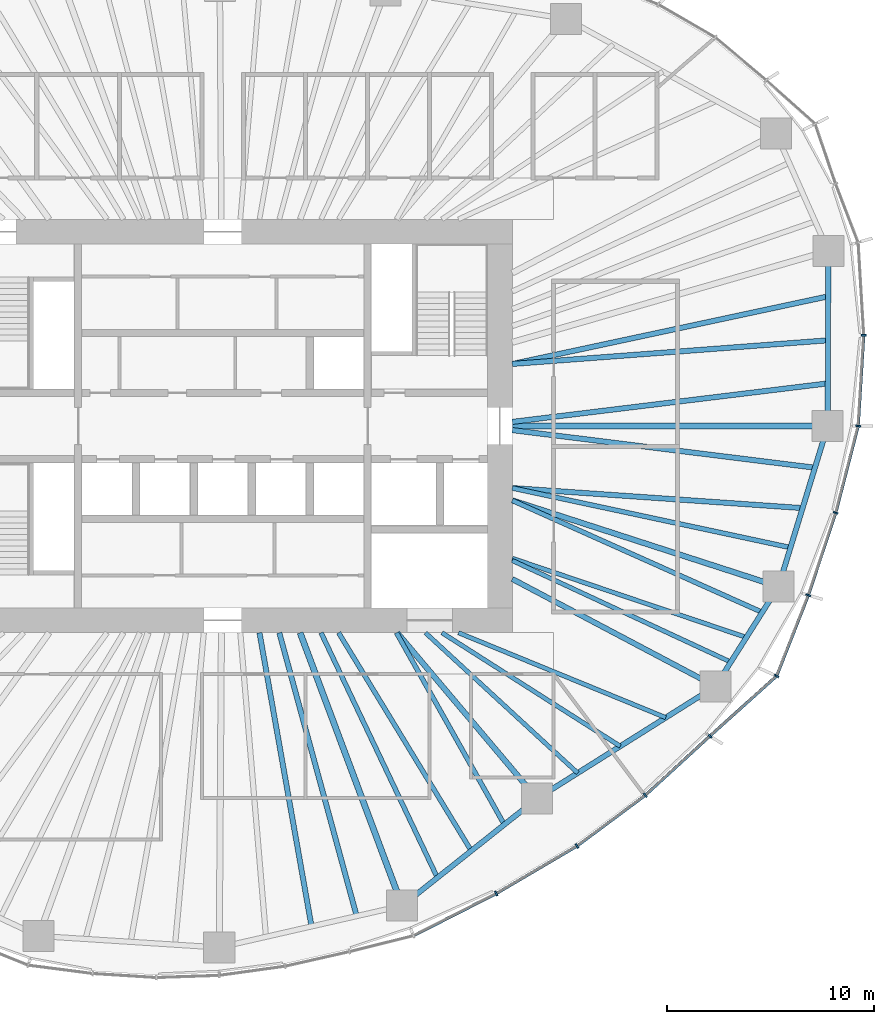
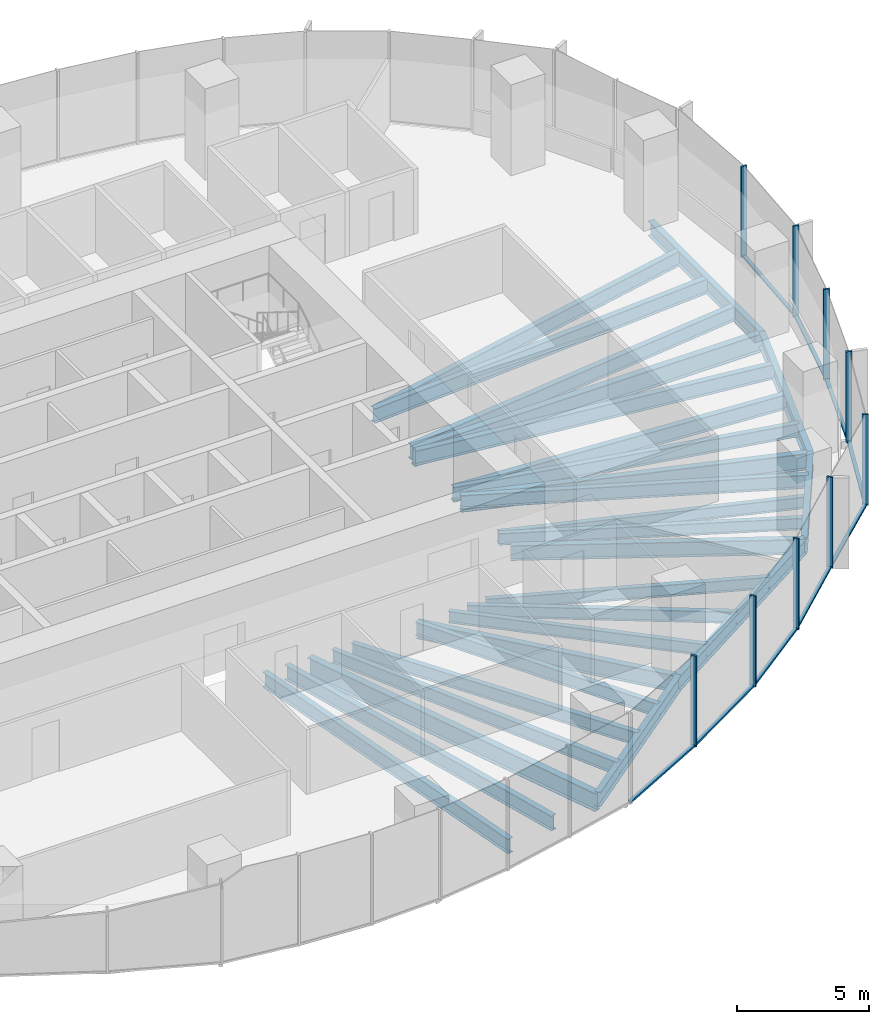
# One storey, part 4 of 18: 27 beams, 18 members, 5 elements without a shape of their own.
"""IFC4 building model written with IfcOpenShell, lengths in metres."""

from ifc_helpers import new_model, si_unit, direction, frame, origin, origin_2d, place, context, subcontext, project, spatial, rectangle, i_section, extrude, material, material_profile, profile_set, type_object, element, aggregate, save


model = new_model("IFC4")

# Units and contexts
model_context = context("Model", 3, precision=1e-05, world=origin(), true_north=direction((0.0, 1.0)))
body_context = subcontext(model_context, "Body", "Model", "MODEL_VIEW")
ifc_project = project(units=[si_unit("LENGTHUNIT", "METRE"), si_unit("AREAUNIT", "SQUARE_METRE"), si_unit("VOLUMEUNIT", "CUBIC_METRE"), si_unit("PLANEANGLEUNIT", "RADIAN"), si_unit("MASSUNIT", "GRAM", prefix="KILO")], contexts=[model_context])

# Site, building, storey
site_placement = place(None, origin())
site = spatial("IfcSite", under=ifc_project, at=site_placement, CompositionType="ELEMENT")
building_placement = place(site_placement, origin())
building = spatial("IfcBuilding", under=site, at=building_placement, Name="Ghaith Harvest Tower", CompositionType="ELEMENT")
storey_placement = place(building_placement, frame((0.0, 0.0, 134.39990234375)))
storey = spatial("IfcBuildingStorey", under=building, at=storey_placement, Name="L28", CompositionType="ELEMENT", Elevation=134.39990234375)

# Curtain wall, members
ifc_material_1 = material(Name="Black anodised aluminium and fritted glass", Category="aluminium")
curtain_wall_type = type_object("IfcCurtainWallType", Name="CW-L CURTAIN WALL", PredefinedType="NOTDEFINED", material=ifc_material_1)
curtain_wall_1_placement = place(storey_placement, origin())
curtain_wall_1 = element("IfcCurtainWall", 1, at=curtain_wall_1_placement, inside=storey, type_object=curtain_wall_type, Name="Curtain wall CW-L bay 01 L28", PredefinedType="NOTDEFINED")
ifc_material_2 = material(Name="Aluminium, black anodised", Category="aluminium")
ifc_material_profile_1 = material_profile(ifc_material_2, rectangle(XDim=0.080078125, YDim=0.239990234375, at=origin_2d()), Name="CW-L MULLION 80x240")
ifc_profile_set_1 = profile_set([ifc_material_profile_1], Name="Aluminium, black anodised")
member_type_1 = type_object("IfcMemberType", Name="CW-L MULLION 80x240", PredefinedType="MULLION", material=ifc_profile_set_1)
member_1_placement = place(storey_placement, frame((30.728759765625, 0.0, 0.0), z_axis=(0.0, 0.0, 1.0), x_axis=(0.155597142981, 0.987820595602, 0.0)))
member_1 = element("IfcMember", 2, at=member_1_placement, type_object=member_type_1, Name="CW-L mullion 1 bay 01 L28", PredefinedType="MULLION", context=body_context, shape_type="SweptSolid", body=[
    extrude(rectangle(XDim=0.080078125, YDim=0.239990234375, at=origin_2d()), origin(), (0.0, 0.0, 1.0), 4.2001953125),
])
member_2_placement = place(storey_placement, frame((30.998779296875, 4.389892578125, 0.0), z_axis=(0.0, 0.0, 1.0), x_axis=(-0.000162467394, 0.999999986802, 0.0)))
member_2 = element("IfcMember", 3, at=member_2_placement, type_object=member_type_1, Name="CW-L mullion 2 bay 01 L28", PredefinedType="MULLION", context=body_context, shape_type="SweptSolid", body=[
    extrude(rectangle(XDim=0.080078125, YDim=0.239990234375, at=origin_2d()), origin(), (0.0, 0.0, 1.0), 4.2001953125),
])

# Curtain wall, member
curtain_wall_2_placement = place(storey_placement, origin())
curtain_wall_2 = element("IfcCurtainWall", 4, at=curtain_wall_2_placement, inside=storey, type_object=curtain_wall_type, Name="Curtain wall CW-L bay 17 L28", PredefinedType="NOTDEFINED")
member_3_placement = place(storey_placement, frame((13.224365234375, -22.614013671875, 0.0), z_axis=(0.0, 0.0, 1.0), x_axis=(0.876898762173, 0.480675109507, 0.0)))
member_3 = element("IfcMember", 5, at=member_3_placement, type_object=member_type_1, Name="CW-L mullion 2 bay 17 L28", PredefinedType="MULLION", context=body_context, shape_type="SweptSolid", body=[
    extrude(rectangle(XDim=0.080078125, YDim=0.239990234375, at=origin_2d()), origin(), (0.0, 0.0, 1.0), 4.2001953125),
])

# Curtain wall, members
curtain_wall_3_placement = place(storey_placement, origin())
curtain_wall_3 = element("IfcCurtainWall", 6, at=curtain_wall_3_placement, inside=storey, type_object=curtain_wall_type, Name="Curtain wall CW-L bay 18 L28", PredefinedType="NOTDEFINED")
member_4_placement = place(storey_placement, frame((17.1318359375, -20.31591796875, 0.0), z_axis=(0.0, 0.0, 1.0), x_axis=(0.834887453241, 0.550420694035, 0.0)))
member_4 = element("IfcMember", 7, at=member_4_placement, type_object=member_type_1, Name="CW-L mullion 1 bay 18 L28", PredefinedType="MULLION", context=body_context, shape_type="SweptSolid", body=[
    extrude(rectangle(XDim=0.080078125, YDim=0.239990234375, at=origin_2d()), origin(), (0.0, 0.0, 1.0), 4.2001953125),
])
member_5_placement = place(storey_placement, frame((20.4296875, -17.86376953125, 0.0), z_axis=(0.0, 0.0, 1.0), x_axis=(0.770306399656, 0.637673937564, 0.0)))
member_5 = element("IfcMember", 8, at=member_5_placement, type_object=member_type_1, Name="CW-L mullion 2 bay 18 L28", PredefinedType="MULLION", context=body_context, shape_type="SweptSolid", body=[
    extrude(rectangle(XDim=0.080078125, YDim=0.239990234375, at=origin_2d()), origin(), (0.0, 0.0, 1.0), 4.2001953125),
])

curtain_wall_4_placement = place(storey_placement, origin())
curtain_wall_4 = element("IfcCurtainWall", 9, at=curtain_wall_4_placement, inside=storey, type_object=curtain_wall_type, Name="Curtain wall CW-L bay 19 L28", PredefinedType="NOTDEFINED")
member_6_placement = place(storey_placement, frame((23.560546875, -14.994140625, 0.0), z_axis=(0.0, 0.0, 1.0), x_axis=(0.740389054945, 0.672178582906, 0.0)))
member_6 = element("IfcMember", 10, at=member_6_placement, type_object=member_type_1, Name="CW-L mullion 1 bay 19 L28", PredefinedType="MULLION", context=body_context, shape_type="SweptSolid", body=[
    extrude(rectangle(XDim=0.080078125, YDim=0.239990234375, at=origin_2d()), origin(), (0.0, 0.0, 1.0), 4.2001953125),
])
member_7_placement = place(storey_placement, frame((26.786376953125, -12.0927734375, 0.0), z_axis=(0.0, 0.0, 1.0), x_axis=(0.572853476908, 0.819657790785, 0.0)))
member_7 = element("IfcMember", 11, at=member_7_placement, type_object=member_type_1, Name="CW-L mullion 2 bay 19 L28", PredefinedType="MULLION", context=body_context, shape_type="SweptSolid", body=[
    extrude(rectangle(XDim=0.080078125, YDim=0.239990234375, at=origin_2d()), origin(), (0.0, 0.0, 1.0), 4.2001953125),
])

curtain_wall_5_placement = place(storey_placement, origin())
curtain_wall_5 = element("IfcCurtainWall", 12, at=curtain_wall_5_placement, inside=storey, type_object=curtain_wall_type, Name="Curtain wall CW-L bay 20 L28", PredefinedType="NOTDEFINED")
member_8_placement = place(storey_placement, frame((28.319580078125, -8.184814453125, 0.0), z_axis=(0.0, 0.0, 1.0), x_axis=(0.34057402484, 0.94021770543, 0.0)))
member_8 = element("IfcMember", 13, at=member_8_placement, type_object=member_type_1, Name="CW-L mullion 1 bay 20 L28", PredefinedType="MULLION", context=body_context, shape_type="SweptSolid", body=[
    extrude(rectangle(XDim=0.080078125, YDim=0.239990234375, at=origin_2d()), origin(), (0.0, 0.0, 1.0), 4.2001953125),
])
member_9_placement = place(storey_placement, frame((29.64599609375, -4.1982421875, 0.0), z_axis=(0.0, 0.0, 1.0), x_axis=(0.282375140161, 0.959304060358, 0.0)))
member_9 = element("IfcMember", 14, at=member_9_placement, type_object=member_type_1, Name="CW-L mullion 2 bay 20 L28", PredefinedType="MULLION", context=body_context, shape_type="SweptSolid", body=[
    extrude(rectangle(XDim=0.080078125, YDim=0.239990234375, at=origin_2d()), origin(), (0.0, 0.0, 1.0), 4.2001953125),
])

# Member
ifc_material_3 = material(Name="Aluminium, black anodised", Category="aluminium")
ifc_material_profile_2 = material_profile(ifc_material_3, rectangle(XDim=0.14990234375, YDim=0.080078125, at=origin_2d()), Name="CW-L TRANSOM 150x80")
ifc_profile_set_2 = profile_set([ifc_material_profile_2], Name="Aluminium, black anodised")
member_type_2 = type_object("IfcMemberType", Name="CW-L TRANSOM 150x80", PredefinedType="USERDEFINED", material=ifc_profile_set_2)
member_10_placement = place(storey_placement, frame((30.731201171875, 0.0400390625, 0.0400390625), z_axis=(0.061403204251, 0.99811304295, 0.0), x_axis=(-0.99811304295, 0.061403204251, 0.0)))
member_10 = element("IfcMember", 15, at=member_10_placement, type_object=member_type_2, Name="CW-L transom 1 bay 01 L28", ObjectType="TRANSOM", PredefinedType="USERDEFINED", context=body_context, shape_type="SweptSolid", body=[
    extrude(rectangle(XDim=0.14990234375, YDim=0.080078125, at=origin_2d()), origin(), (0.0, 0.0, 1.0), 4.31787109375),
])

aggregate(curtain_wall_1, [member_1, member_10, member_2])

member_11_placement = place(storey_placement, frame((9.25244140625, -24.636474609375, 0.0400390625), z_axis=(0.891120044719, 0.453767634258, 0.0), x_axis=(-0.453767634258, 0.891120044719, 0.0)))
member_11 = element("IfcMember", 16, at=member_11_placement, type_object=member_type_2, Name="CW-L transom 1 bay 17 L28", ObjectType="TRANSOM", PredefinedType="USERDEFINED", context=body_context, shape_type="SweptSolid", body=[
    extrude(rectangle(XDim=0.14990234375, YDim=0.080078125, at=origin_2d()), origin(), (0.0, 0.0, 1.0), 4.417236328125),
])

member_12_placement = place(storey_placement, frame((13.259033203125, -22.59375, 0.0400390625), z_axis=(0.86196381091, 0.506969810424, 0.0), x_axis=(-0.506969810424, 0.86196381091, 0.0)))
member_12 = element("IfcMember", 17, at=member_12_placement, type_object=member_type_2, Name="CW-L transom 2 bay 17 L28", ObjectType="TRANSOM", PredefinedType="USERDEFINED", context=body_context, shape_type="SweptSolid", body=[
    extrude(rectangle(XDim=0.14990234375, YDim=0.080078125, at=origin_2d()), origin(), (0.0, 0.0, 1.0), 4.453125),
])

aggregate(curtain_wall_2, [member_11, member_3, member_12])

member_13_placement = place(storey_placement, frame((17.1640625, -20.2919921875, 0.0400390625), z_axis=(0.802465316609, 0.59669876457, 0.0), x_axis=(-0.59669876457, 0.802465316609, 0.0)))
member_13 = element("IfcMember", 18, at=member_13_placement, type_object=member_type_2, Name="CW-L transom 1 bay 18 L28", ObjectType="TRANSOM", PredefinedType="USERDEFINED", context=body_context, shape_type="SweptSolid", body=[
    extrude(rectangle(XDim=0.14990234375, YDim=0.080078125, at=origin_2d()), origin(), (0.0, 0.0, 1.0), 4.029296875),
])

member_14_placement = place(storey_placement, frame((20.459228515625, -17.836669921875, 0.0400390625), z_axis=(0.737197916434, 0.675676869521, 0.0), x_axis=(-0.675676869521, 0.737197916434, 0.0)))
member_14 = element("IfcMember", 19, at=member_14_placement, type_object=member_type_2, Name="CW-L transom 2 bay 18 L28", ObjectType="TRANSOM", PredefinedType="USERDEFINED", context=body_context, shape_type="SweptSolid", body=[
    extrude(rectangle(XDim=0.14990234375, YDim=0.080078125, at=origin_2d()), origin(), (0.0, 0.0, 1.0), 4.166748046875),
])

aggregate(curtain_wall_3, [member_4, member_13, member_5, member_14])

member_15_placement = place(storey_placement, frame((23.59033203125, -14.967529296875, 0.0400390625), z_axis=(0.74346800111, 0.668771509056, 0.0), x_axis=(-0.668771509056, 0.74346800111, 0.0)))
member_15 = element("IfcMember", 20, at=member_15_placement, type_object=member_type_2, Name="CW-L transom 1 bay 19 L28", ObjectType="TRANSOM", PredefinedType="USERDEFINED", context=body_context, shape_type="SweptSolid", body=[
    extrude(rectangle(XDim=0.14990234375, YDim=0.080078125, at=origin_2d()), origin(), (0.0, 0.0, 1.0), 4.2587890625),
])

member_16_placement = place(storey_placement, frame((26.801025390625, -12.055419921875, 0.0400390625), z_axis=(0.365228588652, 0.930917868575, 0.0), x_axis=(-0.930917868575, 0.365228588652, 0.0)))
member_16 = element("IfcMember", 21, at=member_16_placement, type_object=member_type_2, Name="CW-L transom 2 bay 19 L28", ObjectType="TRANSOM", PredefinedType="USERDEFINED", context=body_context, shape_type="SweptSolid", body=[
    extrude(rectangle(XDim=0.14990234375, YDim=0.080078125, at=origin_2d()), origin(), (0.0, 0.0, 1.0), 4.11767578125),
])

aggregate(curtain_wall_4, [member_6, member_15, member_7, member_16])

member_17_placement = place(storey_placement, frame((28.33203125, -8.14697265625, 0.0400390625), z_axis=(0.315712391444, 0.948854934059, 0.0), x_axis=(-0.948854934059, 0.315712391444, 0.0)))
member_17 = element("IfcMember", 22, at=member_17_placement, type_object=member_type_2, Name="CW-L transom 1 bay 20 L28", ObjectType="TRANSOM", PredefinedType="USERDEFINED", context=body_context, shape_type="SweptSolid", body=[
    extrude(rectangle(XDim=0.14990234375, YDim=0.080078125, at=origin_2d()), origin(), (0.0, 0.0, 1.0), 4.12158203125),
])

member_18_placement = place(storey_placement, frame((29.656005859375, -4.159423828125, 0.0400390625), z_axis=(0.249737470584, 0.968313583395, 0.0), x_axis=(-0.968313583395, 0.249737470584, 0.0)))
member_18 = element("IfcMember", 23, at=member_18_placement, type_object=member_type_2, Name="CW-L transom 2 bay 20 L28", ObjectType="TRANSOM", PredefinedType="USERDEFINED", context=body_context, shape_type="SweptSolid", body=[
    extrude(rectangle(XDim=0.14990234375, YDim=0.080078125, at=origin_2d()), origin(), (0.0, 0.0, 1.0), 4.25537109375),
])

aggregate(curtain_wall_5, [member_8, member_17, member_9, member_18])

# Beams
ifc_material_4 = material(Name="Steel ASTM A992 Grade 50", Category="steel")
ifc_material_profile_3 = material_profile(ifc_material_4, i_section(OverallWidth=0.25390625, OverallDepth=0.68408203125, WebThickness=0.012451171875, FlangeThickness=0.018798828125, at=origin_2d()), Name="W690X140")
ifc_profile_set_3 = profile_set([ifc_material_profile_3], Name="Steel ASTM A992 Grade 50")
beam_type_1 = type_object("IfcBeamType", Name="E690-140 W690X140", PredefinedType="SPANDREL", material=ifc_profile_set_3)
beam_1_placement = place(storey_placement, frame((29.259033203125, 0.0, -0.511962890625), z_axis=(0.003172847394, 0.999994966507, 0.0), x_axis=(-0.999994966507, 0.003172847394, 0.0)))
element("IfcBeam", 24, at=beam_1_placement, inside=storey, type_object=beam_type_1, Name="Edge beam E01 L28", PredefinedType="SPANDREL", context=body_context, shape_type="SweptSolid", body=[
    extrude(i_section(OverallWidth=0.25390625, OverallDepth=0.68408203125, WebThickness=0.012451171875, FlangeThickness=0.018798828125, at=origin_2d()), origin(), (0.0, 0.0, 1.0), 8.464111328125),
])
beam_2_placement = place(storey_placement, frame((8.674072265625, -23.202880859375, -0.511962890625), z_axis=(0.783159540917, 0.621820821033, 0.0), x_axis=(-0.621820821033, 0.783159540917, 0.0)))
element("IfcBeam", 25, at=beam_2_placement, inside=storey, type_object=beam_type_1, Name="Edge beam E17 L28", PredefinedType="SPANDREL", context=body_context, shape_type="SweptSolid", body=[
    extrude(i_section(OverallWidth=0.25390625, OverallDepth=0.68408203125, WebThickness=0.012451171875, FlangeThickness=0.018798828125, at=origin_2d()), origin(), (0.0, 0.0, 1.0), 8.330322265625),
])
beam_3_placement = place(storey_placement, frame((15.197998046875, -18.02294921875, -0.511962890625), z_axis=(0.846385185363, 0.532571232793, 0.0), x_axis=(-0.532571232793, 0.846385185363, 0.0)))
element("IfcBeam", 26, at=beam_3_placement, inside=storey, type_object=beam_type_1, Name="Edge beam E18 L28", PredefinedType="SPANDREL", context=body_context, shape_type="SweptSolid", body=[
    extrude(i_section(OverallWidth=0.25390625, OverallDepth=0.68408203125, WebThickness=0.012451171875, FlangeThickness=0.018798828125, at=origin_2d()), origin(), (0.0, 0.0, 1.0), 10.19384765625),
])
beam_4_placement = place(storey_placement, frame((23.825927734375, -12.593994140625, -0.511962890625), z_axis=(0.534499624093, 0.845168712059, 0.0), x_axis=(-0.845168712059, 0.534499624093, 0.0)))
element("IfcBeam", 27, at=beam_4_placement, inside=storey, type_object=beam_type_1, Name="Edge beam E19 L28", PredefinedType="SPANDREL", context=body_context, shape_type="SweptSolid", body=[
    extrude(i_section(OverallWidth=0.25390625, OverallDepth=0.68408203125, WebThickness=0.012451171875, FlangeThickness=0.018798828125, at=origin_2d()), origin(), (0.0, 0.0, 1.0), 5.7099609375),
])
beam_5_placement = place(storey_placement, frame((26.8779296875, -7.76806640625, -0.511962890625), z_axis=(0.293065809375, 0.956092271371, 0.0), x_axis=(-0.956092271371, 0.293065809375, 0.0)))
element("IfcBeam", 28, at=beam_5_placement, inside=storey, type_object=beam_type_1, Name="Edge beam E20 L28", PredefinedType="SPANDREL", context=body_context, shape_type="SweptSolid", body=[
    extrude(i_section(OverallWidth=0.25390625, OverallDepth=0.68408203125, WebThickness=0.012451171875, FlangeThickness=0.018798828125, at=origin_2d()), origin(), (0.0, 0.0, 1.0), 8.124755859375),
])
ifc_material_5 = material(Name="Steel ASTM A992 Grade 50", Category="steel")
ifc_material_profile_4 = material_profile(ifc_material_5, i_section(OverallWidth=0.256103515625, OverallDepth=0.693115234375, WebThickness=0.014404296875, FlangeThickness=0.023681640625, at=origin_2d()), Name="W690X170")
ifc_profile_set_4 = profile_set([ifc_material_profile_4], Name="Steel ASTM A992 Grade 50")
beam_type_2 = type_object("IfcBeamType", Name="G690-170 W690X170", PredefinedType="BEAM", material=ifc_profile_set_4)
beam_6_placement = place(storey_placement, frame((14.0, -7.39990234375, -0.516357421875), z_axis=(0.884080549082, -0.467334551189, 0.0), x_axis=(0.467334551189, 0.884080549082, 0.0)))
element("IfcBeam", 29, at=beam_6_placement, inside=storey, type_object=beam_type_2, Name="Radial girder G19 L28", PredefinedType="BEAM", context=body_context, shape_type="SweptSolid", body=[
    extrude(i_section(OverallWidth=0.256103515625, OverallDepth=0.693115234375, WebThickness=0.014404296875, FlangeThickness=0.023681640625, at=origin_2d()), origin(), (0.0, 0.0, 1.0), 11.1142578125),
])
ifc_material_6 = material(Name="Steel ASTM A992 Grade 50", Category="steel")
ifc_material_profile_5 = material_profile(ifc_material_6, i_section(OverallWidth=0.26806640625, OverallDepth=0.77001953125, WebThickness=0.015625, FlangeThickness=0.025390625, at=origin_2d()), Name="W760X196")
ifc_profile_set_5 = profile_set([ifc_material_profile_5], Name="Steel ASTM A992 Grade 50")
beam_type_3 = type_object("IfcBeamType", Name="G760-196 W760X196", PredefinedType="BEAM", material=ifc_profile_set_5)
beam_7_placement = place(storey_placement, frame((8.4326171875, -10.0, -0.554931640625), z_axis=(0.644649240595, -0.764478486682, 0.0), x_axis=(0.764478486682, 0.644649240595, 0.0)))
element("IfcBeam", 30, at=beam_7_placement, inside=storey, type_object=beam_type_3, Name="Radial girder G18 L28", PredefinedType="BEAM", context=body_context, shape_type="SweptSolid", body=[
    extrude(i_section(OverallWidth=0.26806640625, OverallDepth=0.77001953125, WebThickness=0.015625, FlangeThickness=0.025390625, at=origin_2d()), origin(), (0.0, 0.0, 1.0), 10.49462890625),
])
beam_8_placement = place(storey_placement, frame((14.0, -3.60009765625, -0.554931640625), z_axis=(0.951410331565, -0.307925934262, 0.0), x_axis=(0.307925934262, 0.951410331565, 0.0)))
element("IfcBeam", 31, at=beam_8_placement, inside=storey, type_object=beam_type_3, Name="Radial girder G20 L28", PredefinedType="BEAM", context=body_context, shape_type="SweptSolid", body=[
    extrude(i_section(OverallWidth=0.26806640625, OverallDepth=0.77001953125, WebThickness=0.015625, FlangeThickness=0.025390625, at=origin_2d()), origin(), (0.0, 0.0, 1.0), 13.53564453125),
])
ifc_material_7 = material(Name="Steel ASTM A992 Grade 50", Category="steel")
ifc_material_profile_6 = material_profile(ifc_material_7, i_section(OverallWidth=0.2939453125, OverallDepth=0.85107421875, WebThickness=0.01611328125, FlangeThickness=0.02685546875, at=origin_2d()), Name="W840X226")
ifc_profile_set_6 = profile_set([ifc_material_profile_6], Name="Steel ASTM A992 Grade 50")
beam_type_4 = type_object("IfcBeamType", Name="G840-226 W840X226", PredefinedType="BEAM", material=ifc_profile_set_6)
beam_9_placement = place(storey_placement, frame((14.0, 0.0, -0.595458984375), z_axis=(1.0, 0.0, 0.0), x_axis=(0.0, 1.0, 0.0)))
element("IfcBeam", 32, at=beam_9_placement, inside=storey, type_object=beam_type_4, Name="Radial girder G01 L28", PredefinedType="BEAM", context=body_context, shape_type="SweptSolid", body=[
    extrude(i_section(OverallWidth=0.2939453125, OverallDepth=0.85107421875, WebThickness=0.01611328125, FlangeThickness=0.02685546875, at=origin_2d()), origin(), (0.0, 0.0, 1.0), 15.259033203125),
])
beam_10_placement = place(storey_placement, frame((3.73828125, -10.0, -0.595458984375), z_axis=(0.350172283717, -0.936685310932, 0.0), x_axis=(0.936685310932, 0.350172283717, 0.0)))
element("IfcBeam", 33, at=beam_10_placement, inside=storey, type_object=beam_type_4, Name="Radial girder G17 L28", PredefinedType="BEAM", context=body_context, shape_type="SweptSolid", body=[
    extrude(i_section(OverallWidth=0.2939453125, OverallDepth=0.85107421875, WebThickness=0.01611328125, FlangeThickness=0.02685546875, at=origin_2d()), origin(), (0.0, 0.0, 1.0), 14.09521484375),
])
ifc_material_8 = material(Name="Steel ASTM A992 Grade 50", Category="steel")
ifc_material_profile_7 = material_profile(ifc_material_8, i_section(OverallWidth=0.2109375, OverallDepth=0.5390625, WebThickness=0.01171875, FlangeThickness=0.018798828125, at=origin_2d()), Name="W530X109")
ifc_profile_set_7 = profile_set([ifc_material_profile_7], Name="Steel ASTM A992 Grade 50")
beam_type_5 = type_object("IfcBeamType", Name="J530-109 W530X109", PredefinedType="JOIST", material=ifc_profile_set_7)
beam_11_placement = place(storey_placement, frame((9.800048828125, -10.0, -0.439453125), z_axis=(0.735441512033, -0.677588210035, 0.0), x_axis=(0.677588210035, 0.735441512033, 0.0)))
element("IfcBeam", 34, at=beam_11_placement, inside=storey, type_object=beam_type_5, Name="Joist J18.1 L28", PredefinedType="JOIST", context=body_context, shape_type="SweptSolid", body=[
    extrude(i_section(OverallWidth=0.2109375, OverallDepth=0.5390625, WebThickness=0.01171875, FlangeThickness=0.018798828125, at=origin_2d()), origin(), (0.0, 0.0, 1.0), 10.01416015625),
])
beam_12_placement = place(storey_placement, frame((10.60009765625, -10.0, -0.439453125), z_axis=(0.843584777848, -0.536996017288, 0.0), x_axis=(0.536996017288, 0.843584777848, 0.0)))
element("IfcBeam", 35, at=beam_12_placement, inside=storey, type_object=beam_type_5, Name="Joist J18.2 L28", PredefinedType="JOIST", context=body_context, shape_type="SweptSolid", body=[
    extrude(i_section(OverallWidth=0.2109375, OverallDepth=0.5390625, WebThickness=0.01171875, FlangeThickness=0.018798828125, at=origin_2d()), origin(), (0.0, 0.0, 1.0), 10.22314453125),
])
beam_13_placement = place(storey_placement, frame((11.39990234375, -10.0, -0.439453125), z_axis=(0.925406878607, -0.378975077053, 0.0), x_axis=(0.378975077053, 0.925406878607, 0.0)))
element("IfcBeam", 36, at=beam_13_placement, inside=storey, type_object=beam_type_5, Name="Joist J18.3 L28", PredefinedType="JOIST", context=body_context, shape_type="SweptSolid", body=[
    extrude(i_section(OverallWidth=0.2109375, OverallDepth=0.5390625, WebThickness=0.01171875, FlangeThickness=0.018798828125, at=origin_2d()), origin(), (0.0, 0.0, 1.0), 10.83251953125),
])
beam_14_placement = place(storey_placement, frame((14.0, -6.506103515625, -0.439453125), z_axis=(0.906863188232, -0.421425150922, 0.0), x_axis=(0.421425150922, 0.906863188232, 0.0)))
element("IfcBeam", 37, at=beam_14_placement, inside=storey, type_object=beam_type_5, Name="Joist J19.1 L28", PredefinedType="JOIST", context=body_context, shape_type="SweptSolid", body=[
    extrude(i_section(OverallWidth=0.2109375, OverallDepth=0.5390625, WebThickness=0.01171875, FlangeThickness=0.018798828125, at=origin_2d()), origin(), (0.0, 0.0, 1.0), 11.6552734375),
])
beam_15_placement = place(storey_placement, frame((14.0, -6.39990234375, -0.439453125), z_axis=(0.947372072272, -0.320134591508, 0.0), x_axis=(0.320134591508, 0.947372072272, 0.0)))
element("IfcBeam", 38, at=beam_15_placement, inside=storey, type_object=beam_type_5, Name="Joist J19.2 L28", PredefinedType="JOIST", context=body_context, shape_type="SweptSolid", body=[
    extrude(i_section(OverallWidth=0.2109375, OverallDepth=0.5390625, WebThickness=0.01171875, FlangeThickness=0.018798828125, at=origin_2d()), origin(), (0.0, 0.0, 1.0), 11.95263671875),
])
ifc_material_9 = material(Name="Steel ASTM A992 Grade 50", Category="steel")
ifc_material_profile_8 = material_profile(ifc_material_9, i_section(OverallWidth=0.22900390625, OverallDepth=0.612060546875, WebThickness=0.011962890625, FlangeThickness=0.01953125, at=origin_2d()), Name="W610X125")
ifc_profile_set_8 = profile_set([ifc_material_profile_8], Name="Steel ASTM A992 Grade 50")
beam_type_6 = type_object("IfcBeamType", Name="J610-125 W610X125", PredefinedType="JOIST", material=ifc_profile_set_8)
beam_16_placement = place(storey_placement, frame((4.75, -10.0, -0.475830078125), z_axis=(0.429062888327, -0.903274619294, 0.0), x_axis=(0.903274619294, 0.429062888327, 0.0)))
element("IfcBeam", 39, at=beam_16_placement, inside=storey, type_object=beam_type_6, Name="Joist J17.1 L28", PredefinedType="JOIST", context=body_context, shape_type="SweptSolid", body=[
    extrude(i_section(OverallWidth=0.22900390625, OverallDepth=0.612060546875, WebThickness=0.011962890625, FlangeThickness=0.01953125, at=origin_2d()), origin(), (0.0, 0.0, 1.0), 13.118408203125),
])
beam_17_placement = place(storey_placement, frame((5.60009765625, -10.0, -0.475830078125), z_axis=(0.51969412955, -0.854352393167, 0.0), x_axis=(0.854352393167, 0.51969412955, 0.0)))
element("IfcBeam", 40, at=beam_17_placement, inside=storey, type_object=beam_type_6, Name="Joist J17.2 L28", PredefinedType="JOIST", context=body_context, shape_type="SweptSolid", body=[
    extrude(i_section(OverallWidth=0.22900390625, OverallDepth=0.612060546875, WebThickness=0.011962890625, FlangeThickness=0.01953125, at=origin_2d()), origin(), (0.0, 0.0, 1.0), 12.34716796875),
])
beam_18_placement = place(storey_placement, frame((8.39990234375, -10.0, -0.475830078125), z_axis=(0.489936713337, -0.871758003648, 0.0), x_axis=(0.871758003648, 0.489936713337, 0.0)))
element("IfcBeam", 41, at=beam_18_placement, inside=storey, type_object=beam_type_6, Name="Joist J17.3 L28", PredefinedType="JOIST", context=body_context, shape_type="SweptSolid", body=[
    extrude(i_section(OverallWidth=0.22900390625, OverallDepth=0.612060546875, WebThickness=0.011962890625, FlangeThickness=0.01953125, at=origin_2d()), origin(), (0.0, 0.0, 1.0), 10.64501953125),
])
beam_19_placement = place(storey_placement, frame((14.0, -3.60009765625, -0.475830078125), z_axis=(0.912738327266, -0.408544668231, 0.0), x_axis=(0.408544668231, 0.912738327266, 0.0)))
element("IfcBeam", 42, at=beam_19_placement, inside=storey, type_object=beam_type_6, Name="Joist J19.3 L28", PredefinedType="JOIST", context=body_context, shape_type="SweptSolid", body=[
    extrude(i_section(OverallWidth=0.22900390625, OverallDepth=0.612060546875, WebThickness=0.011962890625, FlangeThickness=0.01953125, at=origin_2d()), origin(), (0.0, 0.0, 1.0), 13.247314453125),
])
beam_20_placement = place(storey_placement, frame((14.0, -3.0, -0.475830078125), z_axis=(0.97783433664, -0.209380061343, 0.0), x_axis=(0.209380061343, 0.97783433664, 0.0)))
element("IfcBeam", 43, at=beam_20_placement, inside=storey, type_object=beam_type_6, Name="Joist J20.1 L28", PredefinedType="JOIST", context=body_context, shape_type="SweptSolid", body=[
    extrude(i_section(OverallWidth=0.22900390625, OverallDepth=0.612060546875, WebThickness=0.011962890625, FlangeThickness=0.01953125, at=origin_2d()), origin(), (0.0, 0.0, 1.0), 13.76123046875),
])
ifc_material_10 = material(Name="Steel ASTM A992 Grade 50", Category="steel")
ifc_material_profile_9 = material_profile(ifc_material_10, i_section(OverallWidth=0.25390625, OverallDepth=0.68408203125, WebThickness=0.012451171875, FlangeThickness=0.018798828125, at=origin_2d()), Name="W690X140")
ifc_profile_set_9 = profile_set([ifc_material_profile_9], Name="Steel ASTM A992 Grade 50")
beam_type_7 = type_object("IfcBeamType", Name="J690-140 W690X140", PredefinedType="JOIST", material=ifc_profile_set_9)
beam_21_placement = place(storey_placement, frame((14.0, 0.199951171875, -0.511962890625), z_axis=(0.992642759881, 0.121079937462, 0.0), x_axis=(-0.121079937462, 0.992642759881, 0.0)))
element("IfcBeam", 44, at=beam_21_placement, inside=storey, type_object=beam_type_7, Name="Joist J01.1 L28", PredefinedType="JOIST", context=body_context, shape_type="SweptSolid", body=[
    extrude(i_section(OverallWidth=0.25390625, OverallDepth=0.68408203125, WebThickness=0.012451171875, FlangeThickness=0.018798828125, at=origin_2d()), origin(), (0.0, 0.0, 1.0), 15.378662109375),
])
beam_22_placement = place(storey_placement, frame((14.0, 3.0, -0.511962890625), z_axis=(0.997200052902, 0.074780040735, 0.0), x_axis=(-0.074780040735, 0.997200052902, 0.0)))
element("IfcBeam", 45, at=beam_22_placement, inside=storey, type_object=beam_type_7, Name="Joist J01.2 L28", PredefinedType="JOIST", context=body_context, shape_type="SweptSolid", body=[
    extrude(i_section(OverallWidth=0.25390625, OverallDepth=0.68408203125, WebThickness=0.012451171875, FlangeThickness=0.018798828125, at=origin_2d()), origin(), (0.0, 0.0, 1.0), 15.315185546875),
])
beam_23_placement = place(storey_placement, frame((14.0, 3.0, -0.511962890625), z_axis=(0.977833271545, 0.209385035425, 0.0), x_axis=(-0.209385035425, 0.977833271545, 0.0)))
element("IfcBeam", 46, at=beam_23_placement, inside=storey, type_object=beam_type_7, Name="Joist J01.3 L28", PredefinedType="JOIST", context=body_context, shape_type="SweptSolid", body=[
    extrude(i_section(OverallWidth=0.25390625, OverallDepth=0.68408203125, WebThickness=0.012451171875, FlangeThickness=0.018798828125, at=origin_2d()), origin(), (0.0, 0.0, 1.0), 15.62548828125),
])
beam_24_placement = place(storey_placement, frame((1.772705078125, -10.0, -0.511962890625), z_axis=(0.174552818486, -0.98464781194, 0.0), x_axis=(0.98464781194, 0.174552818486, 0.0)))
element("IfcBeam", 47, at=beam_24_placement, inside=storey, type_object=beam_type_7, Name="Joist J16.2 L28", PredefinedType="JOIST", context=body_context, shape_type="SweptSolid", body=[
    extrude(i_section(OverallWidth=0.25390625, OverallDepth=0.68408203125, WebThickness=0.012451171875, FlangeThickness=0.018798828125, at=origin_2d()), origin(), (0.0, 0.0, 1.0), 14.42578125),
])
beam_25_placement = place(storey_placement, frame((2.73095703125, -10.0, -0.511962890625), z_axis=(0.263463446032, -0.964669379946, 0.0), x_axis=(0.964669379946, 0.263463446032, 0.0)))
element("IfcBeam", 48, at=beam_25_placement, inside=storey, type_object=beam_type_7, Name="Joist J16.3 L28", PredefinedType="JOIST", context=body_context, shape_type="SweptSolid", body=[
    extrude(i_section(OverallWidth=0.25390625, OverallDepth=0.68408203125, WebThickness=0.012451171875, FlangeThickness=0.018798828125, at=origin_2d()), origin(), (0.0, 0.0, 1.0), 14.20751953125),
])
beam_26_placement = place(storey_placement, frame((14.0, -3.0, -0.511962890625), z_axis=(0.997616678907, -0.068999724397, 0.0), x_axis=(0.068999724397, 0.997616678907, 0.0)))
element("IfcBeam", 49, at=beam_26_placement, inside=storey, type_object=beam_type_7, Name="Joist J20.2 L28", PredefinedType="JOIST", context=body_context, shape_type="SweptSolid", body=[
    extrude(i_section(OverallWidth=0.25390625, OverallDepth=0.68408203125, WebThickness=0.012451171875, FlangeThickness=0.018798828125, at=origin_2d()), origin(), (0.0, 0.0, 1.0), 14.0751953125),
])
beam_27_placement = place(storey_placement, frame((14.0, -0.199951171875, -0.511962890625), z_axis=(0.992379127816, -0.123222021874, 0.0), x_axis=(0.123222021874, 0.992379127816, 0.0)))
element("IfcBeam", 50, at=beam_27_placement, inside=storey, type_object=beam_type_7, Name="Joist J20.3 L28", PredefinedType="JOIST", context=body_context, shape_type="SweptSolid", body=[
    extrude(i_section(OverallWidth=0.25390625, OverallDepth=0.68408203125, WebThickness=0.012451171875, FlangeThickness=0.018798828125, at=origin_2d()), origin(), (0.0, 0.0, 1.0), 14.7529296875),
])

save(model, "model.ifc")
